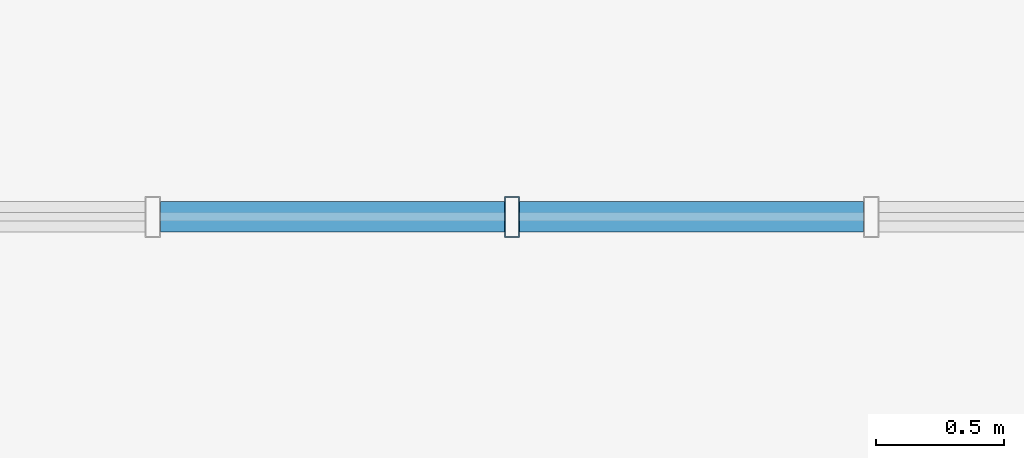
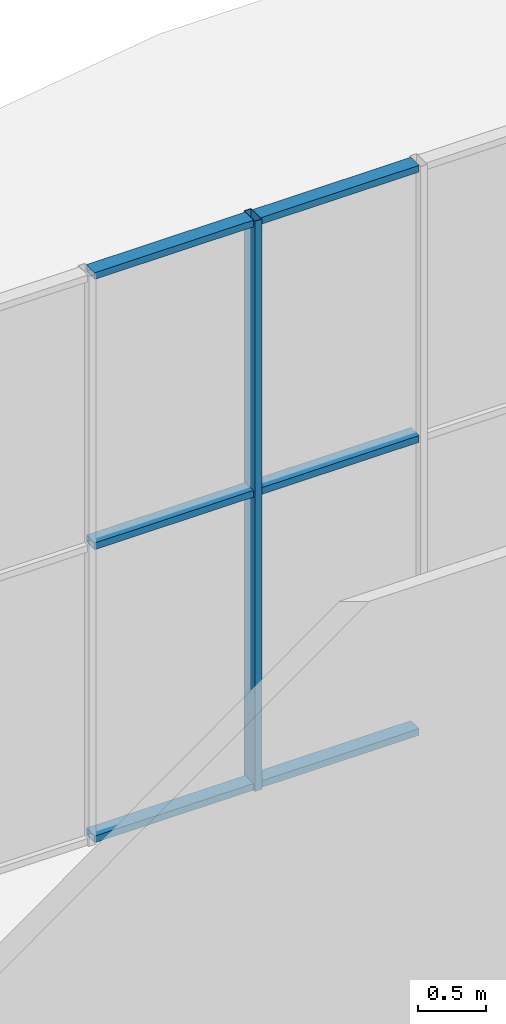
# One storey, part 18 of 91: 7 members, 1 element without a shape of its own.
"""IFC4 building model written with IfcOpenShell, lengths in metres."""

from ifc_helpers import new_model, si_unit, direction, frame, origin, origin_2d, place, context, subcontext, project, spatial, hollow_rectangle, extrude, material, material_profile, profile_set, type_object, element, aggregate, save


model = new_model("IFC4")

# Units and contexts
model_context = context("Model", 3, precision=1e-05, world=origin(), true_north=direction((0.0, 1.0)))
body_context = subcontext(model_context, "Body", "Model", "MODEL_VIEW")
ifc_project = project(units=[si_unit("LENGTHUNIT", "METRE"), si_unit("AREAUNIT", "SQUARE_METRE"), si_unit("VOLUMEUNIT", "CUBIC_METRE"), si_unit("PLANEANGLEUNIT", "RADIAN"), si_unit("MASSUNIT", "GRAM", prefix="KILO")], contexts=[model_context])

# Site, building, storey
site_placement = place(None, origin())
site = spatial("IfcSite", under=ifc_project, at=site_placement, CompositionType="ELEMENT")
building_placement = place(site_placement, origin())
building = spatial("IfcBuilding", under=site, at=building_placement, Name="Khurvash Pelagic Aquarium", CompositionType="ELEMENT")
storey_placement = place(building_placement, origin())
storey = spatial("IfcBuildingStorey", under=building, at=storey_placement, Name="L00", CompositionType="ELEMENT", Elevation=0.0)

# Curtain wall, members
ifc_material_1 = material(Name="Anodised aluminium and low-E laminated glass", Category="aluminium")
curtain_wall_type = type_object("IfcCurtainWallType", Name="CW-02", PredefinedType="USERDEFINED", material=ifc_material_1)
curtain_wall_placement = place(storey_placement, origin())
curtain_wall = element("IfcCurtainWall", 1, at=curtain_wall_placement, inside=storey, type_object=curtain_wall_type, Name="L00 Facade Unitised Curtain Wall CW-02 0097", ObjectType="UNITISED CURTAIN WALL", PredefinedType="USERDEFINED")
ifc_material_2 = material(Name="Extruded aluminium AW-6063-T6", Category="aluminium")
ifc_material_profile_1 = material_profile(ifc_material_2, hollow_rectangle(XDim=0.06005859375, YDim=0.159912109375, WallThickness=0.00390625, at=origin_2d()), Name="CWM60X160X4")
ifc_profile_set_1 = profile_set([ifc_material_profile_1], Name="Extruded aluminium AW-6063-T6")
member_type_1 = type_object("IfcMemberType", Name="CM-02", PredefinedType="MULLION", material=ifc_profile_set_1)
member_1_placement = place(storey_placement, frame((63.0, 36.550048828125, 0.0), z_axis=(0.0, 0.0, 1.0), x_axis=(-1.0, 0.0, 0.0)))
member_1 = element("IfcMember", 2, at=member_1_placement, type_object=member_type_1, Name="CW-02 mullion 4", PredefinedType="MULLION", context=body_context, shape_type="SweptSolid", body=[
    extrude(hollow_rectangle(XDim=0.06005859375, YDim=0.159912109375, WallThickness=0.00390625, at=origin_2d()), origin(), (0.0, 0.0, 1.0), 5.090087890625),
])
ifc_material_profile_2 = material_profile(ifc_material_2, hollow_rectangle(XDim=0.1201171875, YDim=0.06005859375, WallThickness=0.00390625, at=origin_2d()), Name="CWT120X60X4")
ifc_profile_set_2 = profile_set([ifc_material_profile_2], Name="Extruded aluminium AW-6063-T6")
member_type_2 = type_object("IfcMemberType", Name="CT-02", PredefinedType="USERDEFINED", material=ifc_profile_set_2)
member_2_placement = place(storey_placement, frame((64.3701171875, 36.550048828125, 0.030029296875), z_axis=(-1.0, 0.0, 0.0), x_axis=(0.0, -1.0, 0.0)))
member_2 = element("IfcMember", 3, at=member_2_placement, type_object=member_type_2, Name="CW-02 transom 3.1", ObjectType="TRANSOM", PredefinedType="USERDEFINED", context=body_context, shape_type="SweptSolid", body=[
    extrude(hollow_rectangle(XDim=0.1201171875, YDim=0.06005859375, WallThickness=0.00390625, at=origin_2d()), origin(), (0.0, 0.0, 1.0), 1.340087890625),
])
member_3_placement = place(storey_placement, frame((64.3701171875, 36.550048828125, 2.64697265625), z_axis=(-1.0, 0.0, 0.0), x_axis=(0.0, -1.0, 0.0)))
member_3 = element("IfcMember", 4, at=member_3_placement, type_object=member_type_2, Name="CW-02 transom 3.2", ObjectType="TRANSOM", PredefinedType="USERDEFINED", context=body_context, shape_type="SweptSolid", body=[
    extrude(hollow_rectangle(XDim=0.1201171875, YDim=0.06005859375, WallThickness=0.00390625, at=origin_2d()), origin(), (0.0, 0.0, 1.0), 1.340087890625),
])
member_4_placement = place(storey_placement, frame((64.3701171875, 36.550048828125, 5.06005859375), z_axis=(-1.0, 0.0, 0.0), x_axis=(0.0, -1.0, 0.0)))
member_4 = element("IfcMember", 5, at=member_4_placement, type_object=member_type_2, Name="CW-02 transom 3.3", ObjectType="TRANSOM", PredefinedType="USERDEFINED", context=body_context, shape_type="SweptSolid", body=[
    extrude(hollow_rectangle(XDim=0.1201171875, YDim=0.06005859375, WallThickness=0.00390625, at=origin_2d()), origin(), (0.0, 0.0, 1.0), 1.340087890625),
])
member_5_placement = place(storey_placement, frame((62.969970703125, 36.550048828125, 0.030029296875), z_axis=(-1.0, 0.0, 0.0), x_axis=(0.0, -1.0, 0.0)))
member_5 = element("IfcMember", 6, at=member_5_placement, type_object=member_type_2, Name="CW-02 transom 4.1", ObjectType="TRANSOM", PredefinedType="USERDEFINED", context=body_context, shape_type="SweptSolid", body=[
    extrude(hollow_rectangle(XDim=0.1201171875, YDim=0.06005859375, WallThickness=0.00390625, at=origin_2d()), origin(), (0.0, 0.0, 1.0), 1.340087890625),
])
member_6_placement = place(storey_placement, frame((62.969970703125, 36.550048828125, 2.64697265625), z_axis=(-1.0, 0.0, 0.0), x_axis=(0.0, -1.0, 0.0)))
member_6 = element("IfcMember", 7, at=member_6_placement, type_object=member_type_2, Name="CW-02 transom 4.2", ObjectType="TRANSOM", PredefinedType="USERDEFINED", context=body_context, shape_type="SweptSolid", body=[
    extrude(hollow_rectangle(XDim=0.1201171875, YDim=0.06005859375, WallThickness=0.00390625, at=origin_2d()), origin(), (0.0, 0.0, 1.0), 1.340087890625),
])
member_7_placement = place(storey_placement, frame((62.969970703125, 36.550048828125, 5.06005859375), z_axis=(-1.0, 0.0, 0.0), x_axis=(0.0, -1.0, 0.0)))
member_7 = element("IfcMember", 8, at=member_7_placement, type_object=member_type_2, Name="CW-02 transom 4.3", ObjectType="TRANSOM", PredefinedType="USERDEFINED", context=body_context, shape_type="SweptSolid", body=[
    extrude(hollow_rectangle(XDim=0.1201171875, YDim=0.06005859375, WallThickness=0.00390625, at=origin_2d()), origin(), (0.0, 0.0, 1.0), 1.340087890625),
])
aggregate(curtain_wall, [member_1, member_2, member_3, member_4, member_5, member_6, member_7])

save(model, "model.ifc")
